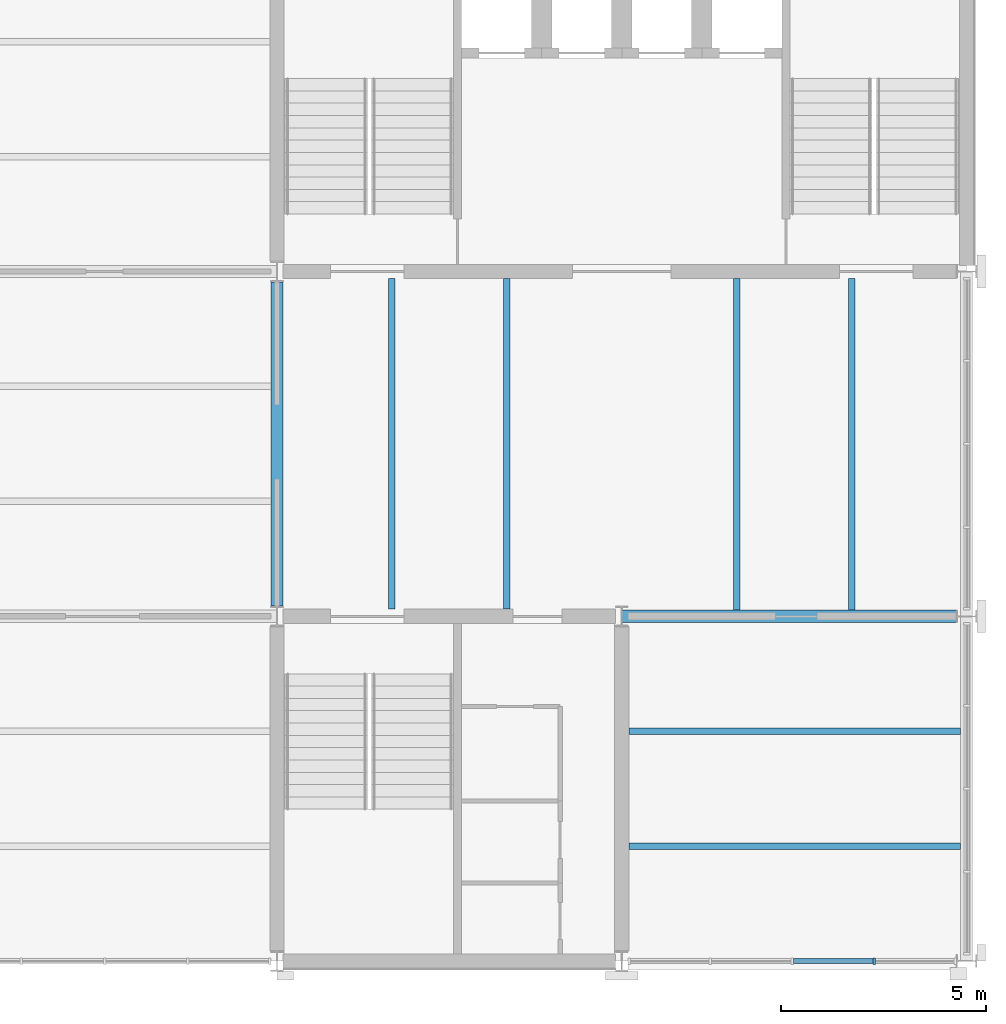
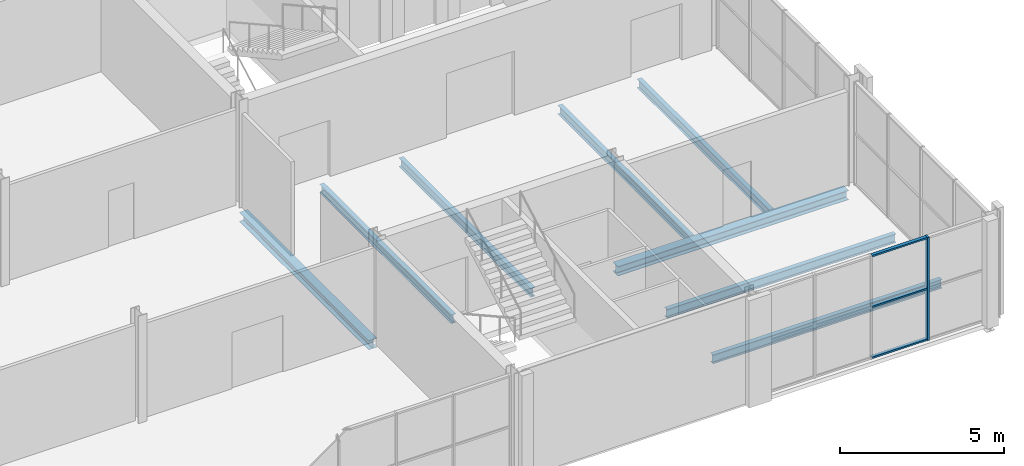
# One storey, part 4 of 12: 8 beams, 4 members, 1 element without a shape of its own.
"""IFC4 building model written with IfcOpenShell, lengths in metres."""

from ifc_helpers import new_model, si_unit, direction, frame, origin, origin_2d, place, context, subcontext, project, spatial, rectangle, i_section, extrude, material, layer, layer_set, material_profile, profile_set, type_object, element, aggregate, save


model = new_model("IFC4")

# Units and contexts
model_context = context("Model", 3, precision=1e-05, world=origin(), true_north=direction((0.0, 1.0)))
body_context = subcontext(model_context, "Body", "Model", "MODEL_VIEW")
ifc_project = project(units=[si_unit("LENGTHUNIT", "METRE"), si_unit("AREAUNIT", "SQUARE_METRE"), si_unit("VOLUMEUNIT", "CUBIC_METRE"), si_unit("PLANEANGLEUNIT", "RADIAN"), si_unit("MASSUNIT", "GRAM", prefix="KILO")], contexts=[model_context])

# Site, building, storey
site_placement = place(None, origin())
site = spatial("IfcSite", under=ifc_project, at=site_placement, CompositionType="ELEMENT")
building_placement = place(site_placement, origin())
building = spatial("IfcBuilding", under=site, at=building_placement, Name="Galleria Vessillo Department Store", CompositionType="ELEMENT")
storey_placement = place(building_placement, frame((0.0, 0.0, 35.60009765625)))
storey = spatial("IfcBuildingStorey", under=building, at=storey_placement, Name="L07", CompositionType="ELEMENT", Elevation=35.60009765625)

# Curtain wall, members
ifc_material_1 = material(Name="Aluminium and glass curtain wall", Category="aluminium")
ifc_layer = layer(ifc_material_1, 0.159912109375)
ifc_layer_set = layer_set([ifc_layer], Name="Aluminium and glass curtain wall")
curtain_wall_type = type_object("IfcCurtainWallType", Name="Tower curtain wall CW4 2100 module", PredefinedType="NOTDEFINED", material=ifc_layer_set)
curtain_wall_placement = place(storey_placement, origin())
curtain_wall = element("IfcCurtainWall", 1, at=curtain_wall_placement, inside=storey, type_object=curtain_wall_type, Name="Tower curtain wall CW4 2100 module TS-L07-03", PredefinedType="NOTDEFINED")
ifc_material_2 = material(Name="Aluminium alloy 6063 T6", Category="aluminium")
ifc_material_profile_1 = material_profile(ifc_material_2, rectangle(XDim=0.159912109375, YDim=0.06005859375, at=origin_2d()), Name="AL 60x160")
ifc_profile_set_1 = profile_set([ifc_material_profile_1], Name="Aluminium alloy 6063 T6")
member_type_1 = type_object("IfcMemberType", Name="Aluminium mullion 60 x 160", PredefinedType="MULLION", material=ifc_profile_set_1)
member_1_placement = place(storey_placement, frame((115.35009765625, 37.800048828125, 0.0), z_axis=(0.0, 0.0, 1.0), x_axis=(0.0, 1.0, 0.0)))
member_1 = element("IfcMember", 2, at=member_1_placement, type_object=member_type_1, Name="CW4 mullion 4", PredefinedType="MULLION", context=body_context, shape_type="SweptSolid", body=[
    extrude(rectangle(XDim=0.159912109375, YDim=0.06005859375, at=origin_2d()), origin(), (0.0, 0.0, 1.0), 3.85009765625),
])
ifc_material_3 = material(Name="Aluminium alloy 6063 T6", Category="aluminium")
ifc_material_profile_2 = material_profile(ifc_material_3, rectangle(XDim=0.1201171875, YDim=0.06005859375, at=origin_2d()), Name="AL 60x120")
ifc_profile_set_2 = profile_set([ifc_material_profile_2], Name="Aluminium alloy 6063 T6")
member_type_2 = type_object("IfcMemberType", Name="Aluminium transom 60 x 120", PredefinedType="USERDEFINED", material=ifc_profile_set_2)
member_2_placement = place(storey_placement, frame((113.3798828125, 37.800048828125, 0.030029296875), z_axis=(1.0, 0.0, 0.0), x_axis=(0.0, 1.0, 0.0)))
member_2 = element("IfcMember", 3, at=member_2_placement, type_object=member_type_2, Name="CW4 transom 3.1", ObjectType="TRANSOM", PredefinedType="USERDEFINED", context=body_context, shape_type="SweptSolid", body=[
    extrude(rectangle(XDim=0.1201171875, YDim=0.06005859375, at=origin_2d()), origin(), (0.0, 0.0, 1.0), 1.940185546875),
])
member_3_placement = place(storey_placement, frame((113.3798828125, 37.800048828125, 1.925048828125), z_axis=(1.0, 0.0, 0.0), x_axis=(0.0, 1.0, 0.0)))
member_3 = element("IfcMember", 4, at=member_3_placement, type_object=member_type_2, Name="CW4 transom 3.2", ObjectType="TRANSOM", PredefinedType="USERDEFINED", context=body_context, shape_type="SweptSolid", body=[
    extrude(rectangle(XDim=0.1201171875, YDim=0.06005859375, at=origin_2d()), origin(), (0.0, 0.0, 1.0), 1.940185546875),
])
member_4_placement = place(storey_placement, frame((113.3798828125, 37.800048828125, 3.820068359375), z_axis=(1.0, 0.0, 0.0), x_axis=(0.0, 1.0, 0.0)))
member_4 = element("IfcMember", 5, at=member_4_placement, type_object=member_type_2, Name="CW4 transom 3.3", ObjectType="TRANSOM", PredefinedType="USERDEFINED", context=body_context, shape_type="SweptSolid", body=[
    extrude(rectangle(XDim=0.1201171875, YDim=0.06005859375, at=origin_2d()), origin(), (0.0, 0.0, 1.0), 1.940185546875),
])
aggregate(curtain_wall, [member_1, member_2, member_3, member_4])

# Beams
ifc_material_4 = material(Name="Steel S355 J2", Category="steel")
ifc_material_profile_3 = material_profile(ifc_material_4, i_section(OverallWidth=0.300048828125, OverallDepth=0.35009765625, WebThickness=0.010009765625, FlangeThickness=0.017578125, FilletRadius=0.027099609375, at=origin_2d()), Name="HEA 360")
ifc_profile_set_3 = profile_set([ifc_material_profile_3], Name="Steel S355 J2")
beam_type_1 = type_object("IfcBeamType", Name="Floor girder HEA 360", PredefinedType="BEAM", material=ifc_profile_set_3)
beam_1_placement = place(storey_placement, frame((109.207275390625, 46.199951171875, -0.324951171875), z_axis=(1.0, 0.0, 0.0), x_axis=(0.0, 1.0, 0.0)))
element("IfcBeam", 6, at=beam_1_placement, inside=storey, type_object=beam_type_1, Name="S-BM-L07-GI-x46200-109207", PredefinedType="BEAM", context=body_context, shape_type="SweptSolid", body=[
    extrude(i_section(OverallWidth=0.300048828125, OverallDepth=0.35009765625, WebThickness=0.010009765625, FlangeThickness=0.017578125, FilletRadius=0.027099609375, at=origin_2d()), origin(), (0.0, 0.0, 1.0), 8.142578125),
])
beam_2_placement = place(storey_placement, frame((100.800048828125, 46.4501953125, -0.324951171875), z_axis=(0.0, 1.0, 0.0), x_axis=(-1.0, 0.0, 0.0)))
element("IfcBeam", 7, at=beam_2_placement, inside=storey, type_object=beam_type_1, Name="S-BM-L07-GI-y100800-46450", PredefinedType="BEAM", context=body_context, shape_type="SweptSolid", body=[
    extrude(i_section(OverallWidth=0.300048828125, OverallDepth=0.35009765625, WebThickness=0.010009765625, FlangeThickness=0.017578125, FilletRadius=0.027099609375, at=origin_2d()), origin(), (0.0, 0.0, 1.0), 7.899658203125),
])
ifc_material_5 = material(Name="Steel S355 J2", Category="steel")
ifc_material_profile_4 = material_profile(ifc_material_5, i_section(OverallWidth=0.159912109375, OverallDepth=0.330078125, WebThickness=0.007568359375, FlangeThickness=0.011474609375, FilletRadius=0.01806640625, at=origin_2d()), Name="IPE 330")
ifc_profile_set_4 = profile_set([ifc_material_profile_4], Name="Steel S355 J2")
beam_type_2 = type_object("IfcBeamType", Name="Floor joist IPE 330", PredefinedType="JOIST", material=ifc_profile_set_4)
for number, where, z_axis, x_axis, name in (
    (8, (103.60009765625, 46.375244140625, -0.31494140625), (0.0, 1.0, 0.0), (-1.0, 0.0, 0.0), "S-BM-L07-JO-y103600-46375"),
    (9, (106.39990234375, 46.375244140625, -0.31494140625), (0.0, 1.0, 0.0), (-1.0, 0.0, 0.0), "S-BM-L07-JO-y106400-46375"),
):
    element("IfcBeam", number, at=place(storey_placement, frame(where, z_axis=z_axis, x_axis=x_axis)), inside=storey, type_object=beam_type_2, Name=name, PredefinedType="JOIST", context=body_context, shape_type="SweptSolid", body=[
        extrude(i_section(OverallWidth=0.159912109375, OverallDepth=0.330078125, WebThickness=0.007568359375, FlangeThickness=0.011474609375, FilletRadius=0.01806640625, at=origin_2d()), origin(), (0.0, 0.0, 1.0), 8.049560546875),
    ])
for number, where, z_axis, x_axis, name in (
    (10, (109.375244140625, 40.60009765625, -0.31494140625), (1.0, 0.0, 0.0), (0.0, 1.0, 0.0), "S-BM-L07-JO-x40600-109375"),
    (11, (109.375244140625, 43.39990234375, -0.31494140625), (1.0, 0.0, 0.0), (0.0, 1.0, 0.0), "S-BM-L07-JO-x43400-109375"),
    (12, (112.0, 46.35009765625, -0.31494140625), (0.0, 1.0, 0.0), (-1.0, 0.0, 0.0), "S-BM-L07-JO-y112000-46350"),
    (13, (114.800048828125, 46.35009765625, -0.31494140625), (0.0, 1.0, 0.0), (-1.0, 0.0, 0.0), "S-BM-L07-JO-y114800-46350"),
):
    element("IfcBeam", number, at=place(storey_placement, frame(where, z_axis=z_axis, x_axis=x_axis)), inside=storey, type_object=beam_type_2, Name=name, PredefinedType="JOIST", context=body_context, shape_type="SweptSolid", body=[
        extrude(i_section(OverallWidth=0.159912109375, OverallDepth=0.330078125, WebThickness=0.007568359375, FlangeThickness=0.011474609375, FilletRadius=0.01806640625, at=origin_2d()), origin(), (0.0, 0.0, 1.0), 8.07470703125),
    ])

save(model, "model.ifc")
